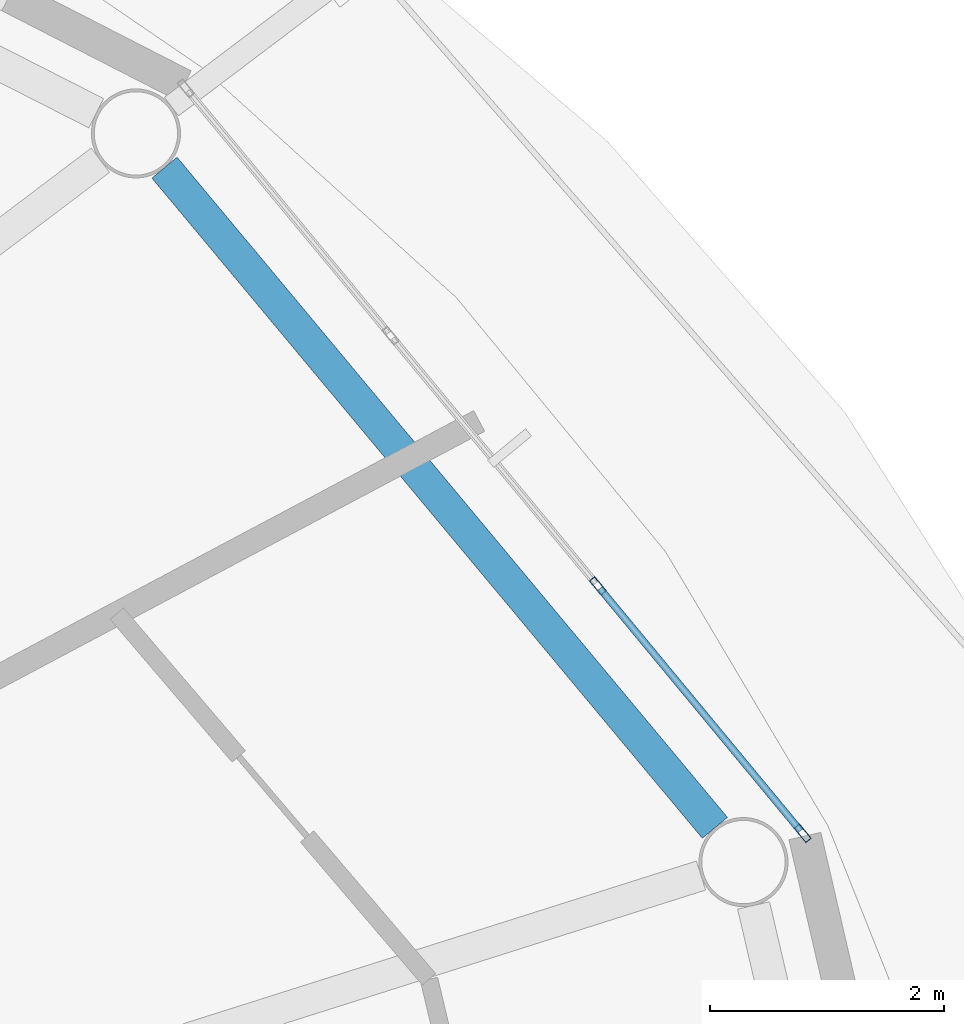
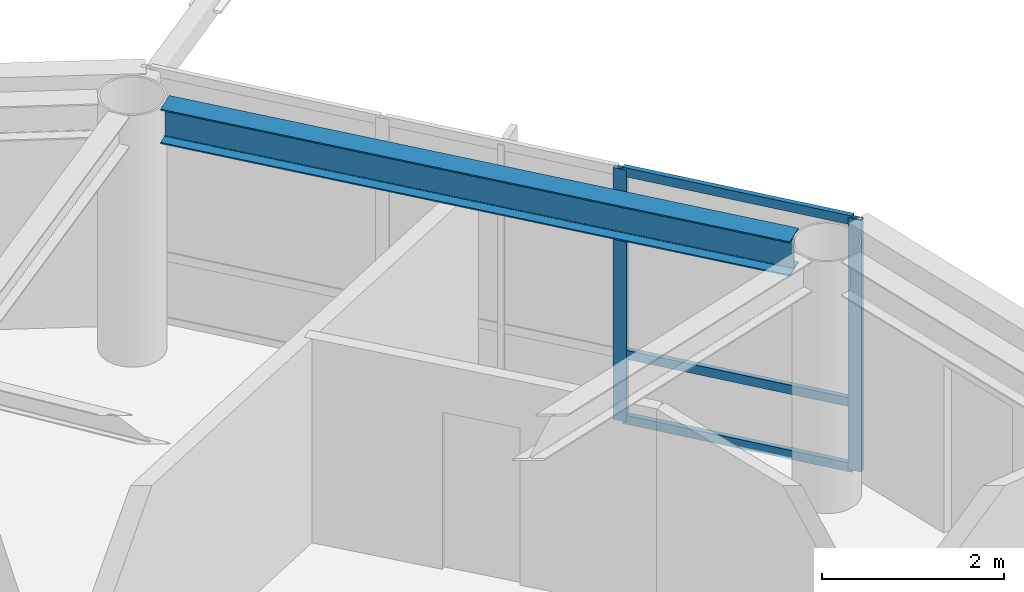
# One storey, part 7 of 22: 5 members, 1 beam, 1 element without a shape of its own.
"""IFC4 building model written with IfcOpenShell, lengths in metres."""

import ifcopenshell
import ifcopenshell.guid

model = None  # the IFC model being written
_history = None  # IfcOwnerHistory: only IFC2X3 demands one
_inside = {}  # id of a spatial element -> (the spatial element, [elements in it])
_under = {}  # id of a project, library or spatial element -> (it, [spatial elements below it])
_declared = {}  # id of a project -> (the project, [libraries it declares])
_typed = {}  # id of a type object -> (the type object, [elements of that type])
_made_of = {}  # id of a material, layer set ... -> (it, [elements and type objects made of it])


def new_model(schema):
    """Start an empty IFC model of exactly this schema.

    Asked for "IFC4X3", IfcOpenShell would pick the latest addendum, in which some entities
    have other attributes; the version numbers below select the first issue.
    IFC2X3 requires an IfcOwnerHistory on every rooted entity: one is made here for all.
    """
    global model, _history
    if schema == "IFC4X3":
        model = ifcopenshell.file(schema_version=(4, 3, 0, 0))
    else:
        model = ifcopenshell.file(schema=schema)
    _inside.clear()
    _under.clear()
    _declared.clear()
    _typed.clear()
    _made_of.clear()
    _history = None
    if model.schema == "IFC2X3":
        org = make("IfcOrganization", Name="unknown")
        user = make(
            "IfcPersonAndOrganization",
            ThePerson=make("IfcPerson", FamilyName="unknown"),
            TheOrganization=org,
        )
        app = make(
            "IfcApplication",
            ApplicationDeveloper=org,
            Version="unknown",
            ApplicationFullName="unknown",
            ApplicationIdentifier="unknown",
        )
        _history = make(
            "IfcOwnerHistory",
            OwningUser=user,
            OwningApplication=app,
            ChangeAction="ADDED",
            CreationDate=0,
        )
    return model


def make(cls, **values):
    """One entity of the class cls with the attributes given. An attribute that is None is left unset."""
    return model.create_entity(
        cls, **{name: value for name, value in values.items() if value is not None}
    )


def rooted(cls, **values):
    """An entity with a GlobalId (a new one), such as an element, a storey or a relation."""
    return make(cls, GlobalId=ifcopenshell.guid.new(), OwnerHistory=_history, **values)


def si_unit(unit_type, name, prefix=None):
    """IfcSIUnit, for example si_unit("LENGTHUNIT", "METRE", prefix="MILLI")."""
    return make("IfcSIUnit", UnitType=unit_type, Prefix=prefix, Name=name)


def assignment(units):
    """IfcUnitAssignment: the units of a project."""
    return None if units is None else make("IfcUnitAssignment", Units=units)


def point(xyz):
    """IfcCartesianPoint."""
    return None if xyz is None else make("IfcCartesianPoint", Coordinates=xyz)


def direction(xyz):
    """IfcDirection."""
    return None if xyz is None else make("IfcDirection", DirectionRatios=xyz)


def frame(location, z_axis=None, x_axis=None):
    """IfcAxis2Placement3D, a coordinate frame: its origin and axes. An axis left out is left unset."""
    return make(
        "IfcAxis2Placement3D",
        Location=point(location),
        Axis=direction(z_axis),
        RefDirection=direction(x_axis),
    )


def frame_2d(location, x_axis=None):
    """IfcAxis2Placement2D, a coordinate frame in the plane: its origin and x axis."""
    return make(
        "IfcAxis2Placement2D", Location=point(location), RefDirection=direction(x_axis)
    )


def origin():
    """The frame at (0, 0, 0) with its axes left unset."""
    return frame((0.0, 0.0, 0.0))


def origin_2d():
    """The frame at (0, 0) in the plane with its x axis left unset."""
    return frame_2d((0.0, 0.0))


def place(relative_to, where):
    """IfcLocalPlacement: puts the frame where relative to a parent placement (None: the world)."""
    return make(
        "IfcLocalPlacement", PlacementRelTo=relative_to, RelativePlacement=where
    )


def context(
    kind, dimensions, precision=None, world=None, true_north=None, identifier=None
):
    """IfcGeometricRepresentationContext, for example the 3D "Model" context."""
    return make(
        "IfcGeometricRepresentationContext",
        ContextIdentifier=identifier,
        ContextType=kind,
        CoordinateSpaceDimension=dimensions,
        Precision=precision,
        WorldCoordinateSystem=world,
        TrueNorth=true_north,
    )


def subcontext(parent, identifier, kind, view, scale=None):
    """IfcGeometricRepresentationSubContext, for example "Body" below "Model"."""
    return make(
        "IfcGeometricRepresentationSubContext",
        ContextIdentifier=identifier,
        ContextType=kind,
        ParentContext=parent,
        TargetScale=scale,
        TargetView=view,
    )


def project(units=None, contexts=None):
    """IfcProject with its units and contexts."""
    return rooted(
        "IfcProject",
        Name="project",
        RepresentationContexts=contexts,
        UnitsInContext=assignment(units),
    )


def spatial(cls, under=None, at=None, **own):
    """A site, building, storey or space (cls), placed at a placement, below another one or the project."""
    s = rooted(cls, ObjectPlacement=at, **own)
    if under is not None:
        _under.setdefault(under.id(), (under, []))[1].append(s)
    return s


def profile(cls, at=None, kind="AREA", **sizes):
    """A parametric profile (cls). Its sizes go by their IFC names, for example OverallWidth=200.0."""
    return make(cls, ProfileType=kind, Position=at, **sizes)


def hollow_rectangle(**sizes):
    """IfcRectangleHollowProfileDef."""
    return profile("IfcRectangleHollowProfileDef", **sizes)


def i_section(**sizes):
    """IfcIShapeProfileDef."""
    return profile("IfcIShapeProfileDef", **sizes)


def extrude(swept, where, along, depth):
    """IfcExtrudedAreaSolid: the profile swept, set in the frame where, extruded along a direction by depth."""
    return make(
        "IfcExtrudedAreaSolid",
        SweptArea=swept,
        Position=where,
        ExtrudedDirection=direction(along),
        Depth=depth,
    )


def shape(context_of_items, identifier, shape_type, items):
    """IfcShapeRepresentation: the items that make up one representation, for example the "Body"."""
    return make(
        "IfcShapeRepresentation",
        ContextOfItems=context_of_items,
        RepresentationIdentifier=identifier,
        RepresentationType=shape_type,
        Items=items,
    )


def material(Name=None, Category=None):
    """IfcMaterial."""
    return make("IfcMaterial", Name=Name, Category=Category)


def layer(
    of_material, thickness, ventilated=None, Name=None, Category=None, Priority=None
):
    """IfcMaterialLayer: one layer of a wall or slab, of a material (None: an air gap)."""
    return make(
        "IfcMaterialLayer",
        Material=of_material,
        LayerThickness=thickness,
        IsVentilated=ventilated,
        Name=Name,
        Category=Category,
        Priority=Priority,
    )


def layer_set(layers, Name=None):
    """IfcMaterialLayerSet."""
    return make("IfcMaterialLayerSet", MaterialLayers=layers, LayerSetName=Name)


def material_profile(
    of_material, cross_section, Name=None, Category=None, Priority=None
):
    """IfcMaterialProfile: a cross section and its material."""
    return make(
        "IfcMaterialProfile",
        Name=Name,
        Material=of_material,
        Profile=cross_section,
        Priority=Priority,
        Category=Category,
    )


def profile_set(profiles, Name=None, composite=None):
    """IfcMaterialProfileSet."""
    return make(
        "IfcMaterialProfileSet",
        Name=Name,
        MaterialProfiles=profiles,
        CompositeProfile=composite,
    )


def made_of(thing, what):
    """Note that an element or type object is made of a material, layer set ...; save() writes the relation."""
    if what is not None:
        _made_of.setdefault(what.id(), (what, []))[1].append(thing)
    return thing


def type_object(cls, material=None, **own):
    """A type object (cls), such as IfcWallType, which elements share."""
    return made_of(rooted(cls, **own), material)


def element(
    cls,
    number,
    at=None,
    inside=None,
    cuts=None,
    type_object=None,
    material=None,
    context=None,
    identifier="Body",
    shape_type=None,
    held_by="IfcProductDefinitionShape",
    body=None,
    shapes=None,
    **own,
):
    """One element of the class cls, such as IfcWall. Its Tag is "e" and its number.

    at: its placement. inside: the storey or other place that contains it. cuts: it is an
    opening in that element (IfcRelVoidsElement). A single representation is given by context,
    identifier, shape_type and body (its items); several are given by shapes. held_by: the class
    of the entity that holds the representations. save() writes the other relations.
    """
    e = rooted(cls, Tag="e%d" % number, ObjectPlacement=at, **own)
    if body is not None:
        shapes = [shape(context, identifier, shape_type, body)]
    if shapes is not None:
        e.Representation = make(held_by, Representations=shapes)
    if inside is not None:
        _inside.setdefault(inside.id(), (inside, []))[1].append(e)
    if cuts is not None:
        rooted(
            "IfcRelVoidsElement", RelatingBuildingElement=cuts, RelatedOpeningElement=e
        )
    if type_object is not None:
        _typed.setdefault(type_object.id(), (type_object, []))[1].append(e)
    return made_of(e, material)


def aggregate(whole, parts):
    """IfcRelAggregates: a whole, such as a stair, and the parts it consists of."""
    return rooted("IfcRelAggregates", RelatingObject=whole, RelatedObjects=parts)


def save(model, path):
    """Write the relations noted so far, then the file.

    IfcRelAggregates (storeys below a building ...), IfcRelContainedInSpatialStructure (elements
    in a storey), IfcRelDefinesByType, IfcRelAssociatesMaterial and IfcRelDeclares: one each for
    every whole, place, type object, material and project.
    """
    for whole, parts in _under.values():
        aggregate(whole, parts)
    for where, things in _inside.values():
        rooted(
            "IfcRelContainedInSpatialStructure",
            RelatedElements=things,
            RelatingStructure=where,
        )
    for kind, things in _typed.values():
        rooted("IfcRelDefinesByType", RelatedObjects=things, RelatingType=kind)
    for what, things in _made_of.values():
        rooted("IfcRelAssociatesMaterial", RelatedObjects=things, RelatingMaterial=what)
    for by, libraries in _declared.values():
        rooted("IfcRelDeclares", RelatingContext=by, RelatedDefinitions=libraries)
    model.write(path)


model = new_model("IFC4")

# Units and contexts
model_context = context("Model", 3, precision=1e-05, world=origin(), true_north=direction((0.0, 1.0)))
body_context = subcontext(model_context, "Body", "Model", "MODEL_VIEW")
ifc_project = project(units=[si_unit("LENGTHUNIT", "METRE"), si_unit("AREAUNIT", "SQUARE_METRE"), si_unit("VOLUMEUNIT", "CUBIC_METRE"), si_unit("PLANEANGLEUNIT", "RADIAN"), si_unit("MASSUNIT", "GRAM", prefix="KILO")], contexts=[model_context])

# Site, building, storey
site_placement = place(None, origin())
site = spatial("IfcSite", under=ifc_project, at=site_placement, CompositionType="ELEMENT")
building_placement = place(site_placement, origin())
building = spatial("IfcBuilding", under=site, at=building_placement, Name="Sarneth Arch Tower", CompositionType="ELEMENT")
storey_placement = place(building_placement, frame((0.0, 0.0, 287.39990234375)))
storey = spatial("IfcBuildingStorey", under=building, at=storey_placement, Name="L74", CompositionType="ELEMENT", Elevation=287.39990234375)

# Beam
ifc_material_1 = material(Name="Steel S355", Category="steel")
ifc_material_profile_1 = material_profile(ifc_material_1, i_section(OverallWidth=0.280029296875, OverallDepth=0.462890625, WebThickness=0.0107421875, FlangeThickness=0.017333984375, FilletRadius=0.01806640625, at=origin_2d()), Name="W460x113")
ifc_profile_set_1 = profile_set([ifc_material_profile_1], Name="Steel S355")
beam_type = type_object("IfcBeamType", Name="BM-RAD-460A", PredefinedType="BEAM", material=ifc_profile_set_1)
beam_placement = place(storey_placement, frame((70.9248046875, 49.64013671875, 3.138671875), z_axis=(-0.640377192996, 0.768060577487, 0.0), x_axis=(-0.768060577487, -0.640377192996, 0.0)))
element("IfcBeam", 1, at=beam_placement, inside=storey, type_object=beam_type, Name="L74 Perimeter spandrel beam 02", PredefinedType="BEAM", context=body_context, shape_type="SweptSolid", body=[
    extrude(i_section(OverallWidth=0.280029296875, OverallDepth=0.462890625, WebThickness=0.0107421875, FlangeThickness=0.017333984375, FilletRadius=0.01806640625, at=origin_2d()), origin(), (0.0, 0.0, 1.0), 7.34814453125),
])

# Curtain wall, members
ifc_material_2 = material(Name="Anodised aluminium Type AA25 and solar-control low-e laminated IGU", Category="aluminium")
ifc_layer = layer(ifc_material_2, 0.179931640625)
ifc_layer_set = layer_set([ifc_layer], Name="Anodised aluminium Type AA25 and solar-control low-e laminated IGU")
curtain_wall_type = type_object("IfcCurtainWallType", Name="CW-RES-HIGH", PredefinedType="NOTDEFINED", material=ifc_layer_set)
curtain_wall_placement = place(storey_placement, origin())
curtain_wall = element("IfcCurtainWall", 2, at=curtain_wall_placement, inside=storey, type_object=curtain_wall_type, Name="L74 Unitised curtain wall facet 02", PredefinedType="NOTDEFINED")
ifc_material_3 = material(Name="Anodised Aluminium 6063-T6", Category="aluminium")
ifc_material_profile_2 = material_profile(ifc_material_3, hollow_rectangle(XDim=0.06005859375, YDim=0.159912109375, WallThickness=0.00390625, at=origin_2d()), Name="AL-MULL-160x60x4")
ifc_profile_set_2 = profile_set([ifc_material_profile_2], Name="Anodised Aluminium 6063-T6")
member_type_1 = type_object("IfcMemberType", Name="CW-MULLION", PredefinedType="MULLION", material=ifc_profile_set_2)
member_1_placement = place(storey_placement, frame((71.674560546875, 49.592529296875, 0.0), z_axis=(0.0, 0.0, 1.0), x_axis=(-0.770359245933, -0.637610094184, 0.0)))
member_1 = element("IfcMember", 3, at=member_1_placement, type_object=member_type_1, Name="CW-SYS-6 mullion 1", PredefinedType="MULLION", context=body_context, shape_type="SweptSolid", body=[
    extrude(hollow_rectangle(XDim=0.06005859375, YDim=0.159912109375, WallThickness=0.00390625, at=origin_2d()), origin(), (0.0, 0.0, 1.0), 3.3701171875),
])
member_2_placement = place(storey_placement, frame((69.92333984375, 51.70849609375, 0.0), z_axis=(0.0, 0.0, 1.0), x_axis=(-0.770359245933, -0.637610094184, 0.0)))
member_2 = element("IfcMember", 4, at=member_2_placement, type_object=member_type_1, Name="CW-SYS-6 mullion 2", PredefinedType="MULLION", context=body_context, shape_type="SweptSolid", body=[
    extrude(hollow_rectangle(XDim=0.06005859375, YDim=0.159912109375, WallThickness=0.00390625, at=origin_2d()), origin(), (0.0, 0.0, 1.0), 3.3701171875),
])
ifc_material_4 = material(Name="Anodised Aluminium 6063-T6", Category="aluminium")
ifc_material_profile_3 = material_profile(ifc_material_4, hollow_rectangle(XDim=0.06005859375, YDim=0.1201171875, WallThickness=0.00390625, at=origin_2d()), Name="AL-TRAN-120x60x4")
ifc_profile_set_3 = profile_set([ifc_material_profile_3], Name="Anodised Aluminium 6063-T6")
member_type_2 = type_object("IfcMemberType", Name="CW-TRANSOM", PredefinedType="USERDEFINED", material=ifc_profile_set_3)
member_3_placement = place(storey_placement, frame((71.655517578125, 49.61572265625, 0.030029296875), z_axis=(-0.637651400067, 0.770325056059, 0.0), x_axis=(-0.770325056059, -0.637651400067, 0.0)))
member_3 = element("IfcMember", 5, at=member_3_placement, type_object=member_type_2, Name="CW-SYS-6 transom 1.1", ObjectType="TRANSOM", PredefinedType="USERDEFINED", context=body_context, shape_type="SweptSolid", body=[
    extrude(hollow_rectangle(XDim=0.06005859375, YDim=0.1201171875, WallThickness=0.00390625, at=origin_2d()), origin(), (0.0, 0.0, 1.0), 2.6865234375),
])
member_4_placement = place(storey_placement, frame((71.655517578125, 49.61572265625, 0.900146484375), z_axis=(-0.637651400067, 0.770325056059, 0.0), x_axis=(-0.770325056059, -0.637651400067, 0.0)))
member_4 = element("IfcMember", 6, at=member_4_placement, type_object=member_type_2, Name="CW-SYS-6 transom 1.2", ObjectType="TRANSOM", PredefinedType="USERDEFINED", context=body_context, shape_type="SweptSolid", body=[
    extrude(hollow_rectangle(XDim=0.06005859375, YDim=0.1201171875, WallThickness=0.00390625, at=origin_2d()), origin(), (0.0, 0.0, 1.0), 2.6865234375),
])
member_5_placement = place(storey_placement, frame((71.655517578125, 49.61572265625, 3.340087890625), z_axis=(-0.637651400067, 0.770325056059, 0.0), x_axis=(-0.770325056059, -0.637651400067, 0.0)))
member_5 = element("IfcMember", 7, at=member_5_placement, type_object=member_type_2, Name="CW-SYS-6 transom 1.3", ObjectType="TRANSOM", PredefinedType="USERDEFINED", context=body_context, shape_type="SweptSolid", body=[
    extrude(hollow_rectangle(XDim=0.06005859375, YDim=0.1201171875, WallThickness=0.00390625, at=origin_2d()), origin(), (0.0, 0.0, 1.0), 2.6865234375),
])
aggregate(curtain_wall, [member_1, member_2, member_3, member_4, member_5])

save(model, "model.ifc")
